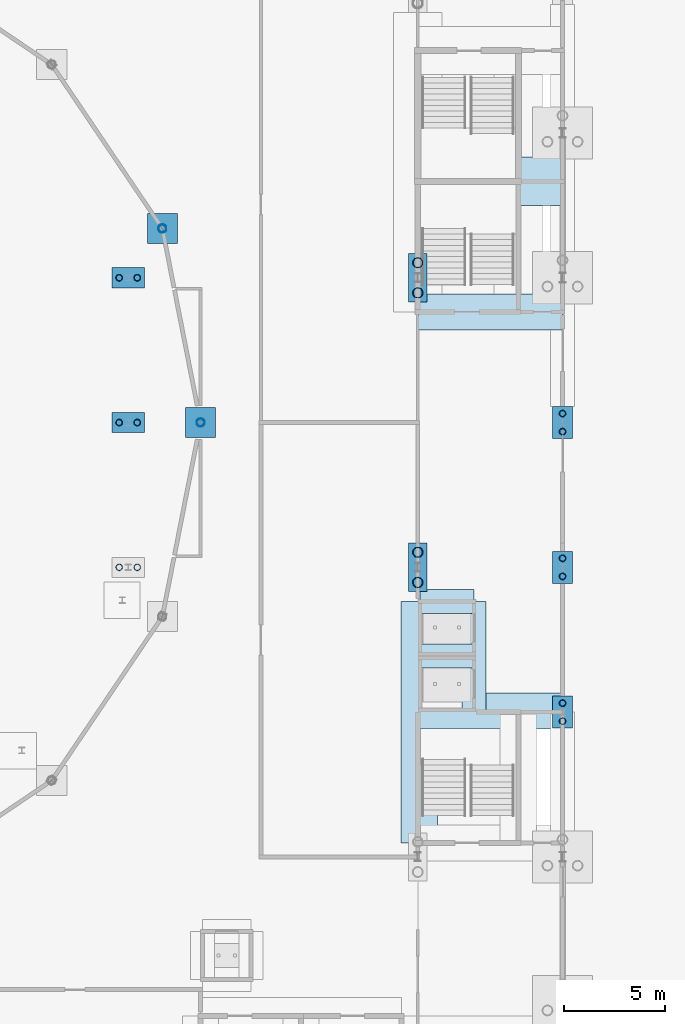
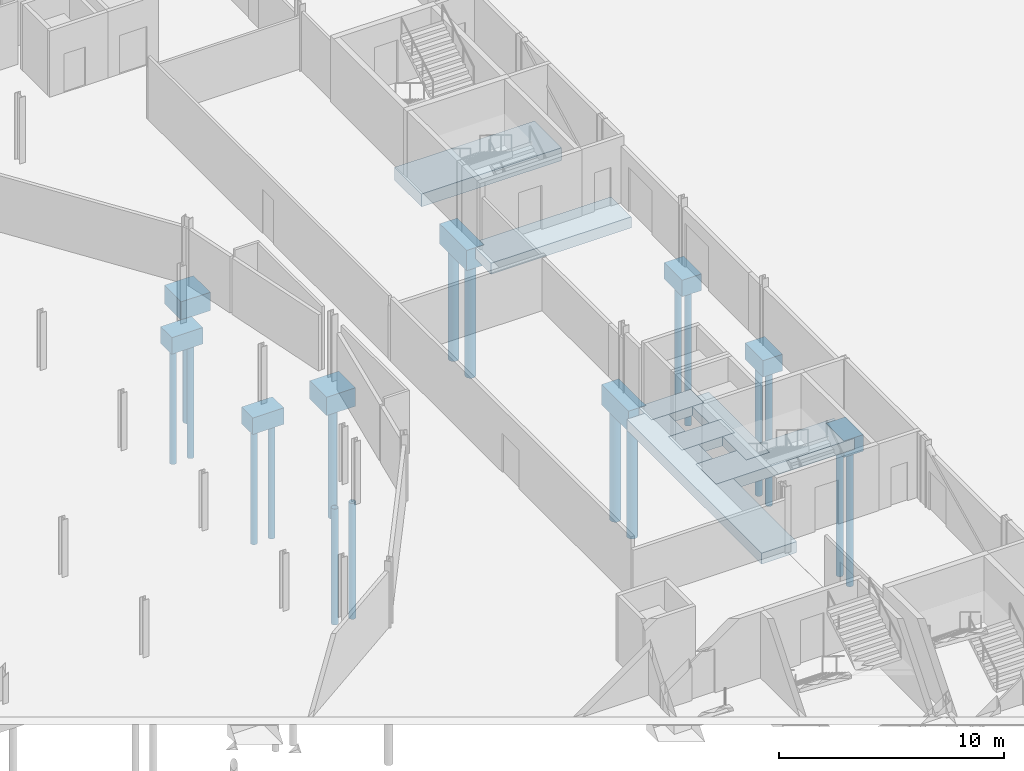
# One storey, part 13 of 148: 18 piles, 16 footings.
"""IFC4 building model written with IfcOpenShell, lengths in metres."""

from ifc_helpers import new_model, si_unit, direction, frame, origin, origin_2d, place, context, subcontext, project, spatial, rectangle, hollow_circle, extrude, material, layer, layer_set, material_profile, profile_set, type_object, element, save


model = new_model("IFC4")

# Units and contexts
model_context = context("Model", 3, precision=1e-05, world=origin(), true_north=direction((0.0, 1.0)))
body_context = subcontext(model_context, "Body", "Model", "MODEL_VIEW")
ifc_project = project(units=[si_unit("LENGTHUNIT", "METRE"), si_unit("AREAUNIT", "SQUARE_METRE"), si_unit("VOLUMEUNIT", "CUBIC_METRE"), si_unit("PLANEANGLEUNIT", "RADIAN"), si_unit("MASSUNIT", "GRAM", prefix="KILO")], contexts=[model_context])

# Site, building, storey
site_placement = place(None, origin())
site = spatial("IfcSite", under=ifc_project, at=site_placement, CompositionType="ELEMENT")
building_placement = place(site_placement, origin())
building = spatial("IfcBuilding", under=site, at=building_placement, Name="Kupolbacken Congress Centre", CompositionType="ELEMENT")
storey_placement = place(building_placement, origin())
storey = spatial("IfcBuildingStorey", under=building, at=storey_placement, Name="L00", CompositionType="ELEMENT", Elevation=0.0)

# Footings
ifc_material_1 = material(Name="Concrete C30/37", Category="concrete")
ifc_layer_1 = layer(ifc_material_1, 1.10009765625)
ifc_layer_set_1 = layer_set([ifc_layer_1], Name="Concrete C30/37")
footing_type_1 = type_object("IfcFootingType", Name="PC2 pile cap 2.40 x 0.90 x 1.10 m", PredefinedType="PILE_CAP", material=ifc_layer_set_1)
for number, where, z_axis, x_axis, name in (
    (1, (79.199951171875, 79.199951171875, -1.400146484375), (0.0, 0.0, 1.0), (1.0, 0.0, 0.0), "S/fnd/C-P-12M/cap"),
    (2, (79.199951171875, 93.60009765625, -1.400146484375), (0.0, 0.0, 1.0), (1.0, 0.0, 0.0), "S/fnd/C-P-12P/cap"),
):
    element("IfcFooting", number, at=place(storey_placement, frame(where, z_axis=z_axis, x_axis=x_axis)), inside=storey, type_object=footing_type_1, Name=name, PredefinedType="PILE_CAP", context=body_context, shape_type="SweptSolid", body=[
        extrude(rectangle(XDim=0.89990234375, YDim=2.39990234375, at=origin_2d()), origin(), (0.0, 0.0, 1.0), 1.10009765625),
    ])
ifc_material_2 = material(Name="Concrete C30/37", Category="concrete")
ifc_layer_2 = layer(ifc_material_2, 0.89990234375)
ifc_layer_set_2 = layer_set([ifc_layer_2], Name="Concrete C30/37")
footing_type_2 = type_object("IfcFootingType", Name="PC7 pile cap 1.60 x 1.00 x 0.90 m", PredefinedType="PILE_CAP", material=ifc_layer_set_2)
for number, where, z_axis, x_axis, name in (
    (3, (86.39990234375, 72.0, -1.199951171875), (0.0, 0.0, 1.0), (1.0, 0.0, 0.0), "S/fnd/C-H-PW05/cap"),
    (4, (86.39990234375, 79.199951171875, -1.199951171875), (0.0, 0.0, 1.0), (1.0, 0.0, 0.0), "S/fnd/C-H-PW06/cap"),
    (5, (86.39990234375, 86.39990234375, -1.199951171875), (0.0, 0.0, 1.0), (1.0, 0.0, 0.0), "S/fnd/C-H-PW07/cap"),
):
    element("IfcFooting", number, at=place(storey_placement, frame(where, z_axis=z_axis, x_axis=x_axis)), inside=storey, type_object=footing_type_2, Name=name, PredefinedType="PILE_CAP", context=body_context, shape_type="SweptSolid", body=[
        extrude(rectangle(XDim=1.0, YDim=1.60009765625, at=origin_2d()), origin(), (0.0, 0.0, 1.0), 0.89990234375),
    ])
for number, where, z_axis, x_axis, name in (
    (6, (64.800048828125, 86.39990234375, -1.199951171875), (0.0, 0.0, 1.0), (1.0, 0.0, 0.0), "S/fnd/C-PL-648-864/cap"),
    (7, (64.800048828125, 93.60009765625, -1.199951171875), (0.0, 0.0, 1.0), (1.0, 0.0, 0.0), "S/fnd/C-PL-648-936/cap"),
):
    element("IfcFooting", number, at=place(storey_placement, frame(where, z_axis=z_axis, x_axis=x_axis)), inside=storey, type_object=footing_type_2, Name=name, PredefinedType="PILE_CAP", context=body_context, shape_type="SweptSolid", body=[
        extrude(rectangle(XDim=1.60009765625, YDim=1.0, at=origin_2d()), origin(), (0.0, 0.0, 1.0), 0.89990234375),
    ])
ifc_material_3 = material(Name="Concrete C30/37", Category="concrete")
ifc_layer_3 = layer(ifc_material_3, 1.0)
ifc_layer_set_3 = layer_set([ifc_layer_3], Name="Concrete C30/37")
footing_type_3 = type_object("IfcFootingType", Name="PC8 pile cap 1.50 x 1.50 x 1.00 m", PredefinedType="PILE_CAP", material=ifc_layer_set_3)
for number, where, z_axis, x_axis, name in (
    (8, (68.39990234375, 86.39990234375, -1.300048828125), (0.0, 0.0, 1.0), (1.0, 0.0, 0.0), "S/fnd/C-D01/cap"),
    (9, (66.5, 96.050048828125, -1.300048828125), (0.0, 0.0, 1.0), (1.0, 0.0, 0.0), "S/fnd/C-D02/cap"),
):
    element("IfcFooting", number, at=place(storey_placement, frame(where, z_axis=z_axis, x_axis=x_axis)), inside=storey, type_object=footing_type_3, Name=name, PredefinedType="PILE_CAP", context=body_context, shape_type="SweptSolid", body=[
        extrude(rectangle(XDim=1.5, YDim=1.5, at=origin_2d()), origin(), (0.0, 0.0, 1.0), 1.0),
    ])

# Piles
ifc_material_4 = material(Name="Steel S355", Category="steel")
ifc_material_profile_1 = material_profile(ifc_material_4, hollow_circle(Radius=0.161865234375, WallThickness=0.012451171875, at=origin_2d()), Name="CHS 323.9 x 12.5")
ifc_profile_set_1 = profile_set([ifc_material_profile_1], Name="Steel S355")
pile_type_1 = type_object("IfcPileType", Name="PL1 steel tube pile CHS 323.9 x 12.5", PredefinedType="BORED", material=ifc_profile_set_1)
for number, where, z_axis, x_axis, name in (
    (10, (86.39990234375, 71.550048828125, -1.199951171875), (0.0, 0.0, -1.0), (1.0, 0.0, 0.0), "S/fnd/C-H-PW05/pile1"),
    (11, (86.39990234375, 72.449951171875, -1.199951171875), (0.0, 0.0, -1.0), (1.0, 0.0, 0.0), "S/fnd/C-H-PW05/pile2"),
    (12, (86.39990234375, 78.75, -1.199951171875), (0.0, 0.0, -1.0), (1.0, 0.0, 0.0), "S/fnd/C-H-PW06/pile1"),
    (13, (86.39990234375, 79.64990234375, -1.199951171875), (0.0, 0.0, -1.0), (1.0, 0.0, 0.0), "S/fnd/C-H-PW06/pile2"),
    (14, (86.39990234375, 85.949951171875, -1.199951171875), (0.0, 0.0, -1.0), (1.0, 0.0, 0.0), "S/fnd/C-H-PW07/pile1"),
    (15, (86.39990234375, 86.85009765625, -1.199951171875), (0.0, 0.0, -1.0), (1.0, 0.0, 0.0), "S/fnd/C-H-PW07/pile2"),
):
    element("IfcPile", number, at=place(storey_placement, frame(where, z_axis=z_axis, x_axis=x_axis)), inside=storey, type_object=pile_type_1, Name=name, PredefinedType="BORED", context=body_context, shape_type="SweptSolid", body=[
        extrude(hollow_circle(Radius=0.161865234375, WallThickness=0.012451171875, at=origin_2d()), origin(), (0.0, 0.0, 1.0), 7.300048828125),
    ])
for number, where, z_axis, x_axis, name in (
    (16, (64.35009765625, 79.199951171875, -1.199951171875), (0.0, 0.0, -1.0), (1.0, 0.0, 0.0), "S/fnd/C-PL-648-792/pile1"),
    (17, (65.25, 79.199951171875, -1.199951171875), (0.0, 0.0, -1.0), (1.0, 0.0, 0.0), "S/fnd/C-PL-648-792/pile2"),
    (18, (64.35009765625, 86.39990234375, -1.199951171875), (0.0, 0.0, -1.0), (1.0, 0.0, 0.0), "S/fnd/C-PL-648-864/pile1"),
    (19, (65.25, 86.39990234375, -1.199951171875), (0.0, 0.0, -1.0), (1.0, 0.0, 0.0), "S/fnd/C-PL-648-864/pile2"),
    (20, (64.35009765625, 93.60009765625, -1.199951171875), (0.0, 0.0, -1.0), (1.0, 0.0, 0.0), "S/fnd/C-PL-648-936/pile1"),
    (21, (65.25, 93.60009765625, -1.199951171875), (0.0, 0.0, -1.0), (1.0, 0.0, 0.0), "S/fnd/C-PL-648-936/pile2"),
):
    element("IfcPile", number, at=place(storey_placement, frame(where, z_axis=z_axis, x_axis=x_axis)), inside=storey, type_object=pile_type_1, Name=name, PredefinedType="BORED", context=body_context, shape_type="SweptSolid", body=[
        extrude(hollow_circle(Radius=0.161865234375, WallThickness=0.012451171875, at=origin_2d()), origin(), (0.0, 0.0, 1.0), 6.300048828125),
    ])
ifc_material_5 = material(Name="Steel S355", Category="steel")
ifc_material_profile_2 = material_profile(ifc_material_5, hollow_circle(Radius=0.203125, WallThickness=0.01611328125, at=origin_2d()), Name="CHS 406.4 x 16")
ifc_profile_set_2 = profile_set([ifc_material_profile_2], Name="Steel S355")
pile_type_2 = type_object("IfcPileType", Name="PL2 steel tube pile CHS 406.4 x 16", PredefinedType="BORED", material=ifc_profile_set_2)
for number, where, z_axis, x_axis, name in (
    (22, (68.39990234375, 86.39990234375, -1.300048828125), (0.0, 0.0, -1.0), (1.0, 0.0, 0.0), "S/fnd/C-D01/pile1"),
    (23, (66.5, 96.050048828125, -1.300048828125), (0.0, 0.0, -1.0), (1.0, 0.0, 0.0), "S/fnd/C-D02/pile1"),
):
    element("IfcPile", number, at=place(storey_placement, frame(where, z_axis=z_axis, x_axis=x_axis)), inside=storey, type_object=pile_type_2, Name=name, PredefinedType="BORED", context=body_context, shape_type="SweptSolid", body=[
        extrude(hollow_circle(Radius=0.203125, WallThickness=0.01611328125, at=origin_2d()), origin(), (0.0, 0.0, 1.0), 6.199951171875),
    ])
ifc_material_6 = material(Name="Steel S355", Category="steel")
ifc_material_profile_3 = material_profile(ifc_material_6, hollow_circle(Radius=0.25390625, WallThickness=0.02001953125, at=origin_2d()), Name="CHS 508 x 20")
ifc_profile_set_3 = profile_set([ifc_material_profile_3], Name="Steel S355")
pile_type_3 = type_object("IfcPileType", Name="PL3 steel tube pile CHS 508 x 20", PredefinedType="BORED", material=ifc_profile_set_3)
for number, where, z_axis, x_axis, name in (
    (24, (79.199951171875, 78.449951171875, -1.39990234375), (0.0, 0.0, -1.0), (1.0, 0.0, 0.0), "S/fnd/C-P-12M/pile1"),
    (25, (79.199951171875, 79.949951171875, -1.39990234375), (0.0, 0.0, -1.0), (1.0, 0.0, 0.0), "S/fnd/C-P-12M/pile2"),
    (26, (79.199951171875, 92.85009765625, -1.39990234375), (0.0, 0.0, -1.0), (1.0, 0.0, 0.0), "S/fnd/C-P-12P/pile1"),
    (27, (79.199951171875, 94.35009765625, -1.39990234375), (0.0, 0.0, -1.0), (1.0, 0.0, 0.0), "S/fnd/C-P-12P/pile2"),
):
    element("IfcPile", number, at=place(storey_placement, frame(where, z_axis=z_axis, x_axis=x_axis)), inside=storey, type_object=pile_type_3, Name=name, PredefinedType="BORED", context=body_context, shape_type="SweptSolid", body=[
        extrude(hollow_circle(Radius=0.25390625, WallThickness=0.02001953125, at=origin_2d()), origin(), (0.0, 0.0, 1.0), 6.10009765625),
    ])

# Footings
ifc_material_7 = material(Name="Concrete C30/37", Category="concrete")
ifc_layer_4 = layer(ifc_material_7, 0.5)
ifc_layer_set_4 = layer_set([ifc_layer_4], Name="Concrete C30/37")
footing_type_4 = type_object("IfcFootingType", Name="SF1 strip footing 1.20 x 0.50 m", PredefinedType="STRIP_FOOTING", material=ifc_layer_set_4)
footing_1_placement = place(storey_placement, frame((82.0, 74.800048828125, -0.800048828125), z_axis=(0.0, 0.0, 1.0), x_axis=(0.0, 1.0, 0.0)))
element("IfcFooting", 28, at=footing_1_placement, inside=storey, type_object=footing_type_4, Name="S/fnd/lift/042", PredefinedType="STRIP_FOOTING", context=body_context, shape_type="SweptSolid", body=[
    extrude(rectangle(XDim=5.39990234375, YDim=1.199951171875, at=origin_2d()), origin(), (0.0, 0.0, 1.0), 0.5),
])
for number, where, z_axis, x_axis, name in (
    (29, (80.64990234375, 74.800048828125, -0.800048828125), (0.0, 0.0, 1.0), (1.0, 0.0, 0.0), "S/fnd/lift/043"),
    (30, (80.64990234375, 77.5, -0.800048828125), (0.0, 0.0, 1.0), (1.0, 0.0, 0.0), "S/fnd/lift/047"),
):
    element("IfcFooting", number, at=place(storey_placement, frame(where, z_axis=z_axis, x_axis=x_axis)), inside=storey, type_object=footing_type_4, Name=name, PredefinedType="STRIP_FOOTING", context=body_context, shape_type="SweptSolid", body=[
        extrude(rectangle(XDim=2.699951171875, YDim=1.199951171875, at=origin_2d()), origin(), (0.0, 0.0, 1.0), 0.5),
    ])
ifc_material_8 = material(Name="Concrete C30/37", Category="concrete")
ifc_layer_5 = layer(ifc_material_8, 0.60009765625)
ifc_layer_set_5 = layer_set([ifc_layer_5], Name="Concrete C30/37")
footing_type_5 = type_object("IfcFootingType", Name="SF2 strip footing 1.80 x 0.60 m", PredefinedType="STRIP_FOOTING", material=ifc_layer_set_5)
footing_2_placement = place(storey_placement, frame((79.27490234375, 71.5, -0.900146484375), z_axis=(0.0, 0.0, 1.0), x_axis=(0.0, 1.0, 0.0)))
element("IfcFooting", 31, at=footing_2_placement, inside=storey, type_object=footing_type_5, Name="S/fnd/core/049", PredefinedType="STRIP_FOOTING", context=body_context, shape_type="SweptSolid", body=[
    extrude(rectangle(XDim=12.0, YDim=1.800048828125, at=origin_2d()), origin(), (0.0, 0.0, 1.0), 0.60009765625),
])
footing_3_placement = place(storey_placement, frame((82.85009765625, 72.050048828125, -0.900146484375), z_axis=(0.0, 0.0, 1.0), x_axis=(1.0, 0.0, 0.0)))
element("IfcFooting", 32, at=footing_3_placement, inside=storey, type_object=footing_type_5, Name="S/fnd/core/050", PredefinedType="STRIP_FOOTING", context=body_context, shape_type="SweptSolid", body=[
    extrude(rectangle(XDim=7.10009765625, YDim=1.800048828125, at=origin_2d()), origin(), (0.0, 0.0, 1.0), 0.60009765625),
])
footing_4_placement = place(storey_placement, frame((82.800048828125, 91.89990234375, -0.900146484375), z_axis=(0.0, 0.0, 1.0), x_axis=(1.0, 0.0, 0.0)))
element("IfcFooting", 33, at=footing_4_placement, inside=storey, type_object=footing_type_5, Name="S/fnd/core/052", PredefinedType="STRIP_FOOTING", context=body_context, shape_type="SweptSolid", body=[
    extrude(rectangle(XDim=7.199951171875, YDim=1.800048828125, at=origin_2d()), origin(), (0.0, 0.0, 1.0), 0.60009765625),
])
ifc_material_9 = material(Name="Concrete C30/37", Category="concrete")
ifc_layer_6 = layer(ifc_material_9, 0.699951171875)
ifc_layer_set_6 = layer_set([ifc_layer_6], Name="Concrete C30/37")
footing_type_6 = type_object("IfcFootingType", Name="SF3 strip footing 2.40 x 0.70 m", PredefinedType="STRIP_FOOTING", material=ifc_layer_set_6)
footing_5_placement = place(storey_placement, frame((82.800048828125, 98.39990234375, -1.0), z_axis=(0.0, 0.0, 1.0), x_axis=(1.0, 0.0, 0.0)))
element("IfcFooting", 34, at=footing_5_placement, inside=storey, type_object=footing_type_6, Name="S/fnd/core/057", PredefinedType="STRIP_FOOTING", context=body_context, shape_type="SweptSolid", body=[
    extrude(rectangle(XDim=7.199951171875, YDim=2.39990234375, at=origin_2d()), origin(), (0.0, 0.0, 1.0), 0.699951171875),
])

save(model, "model.ifc")
